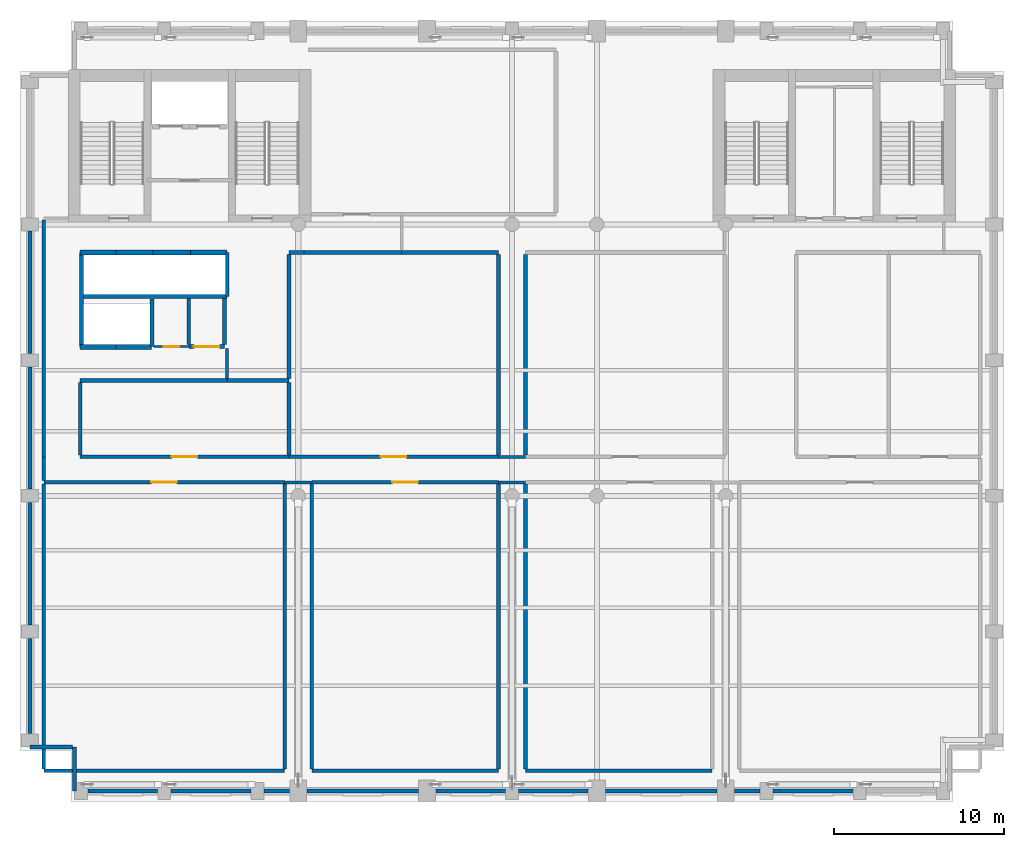
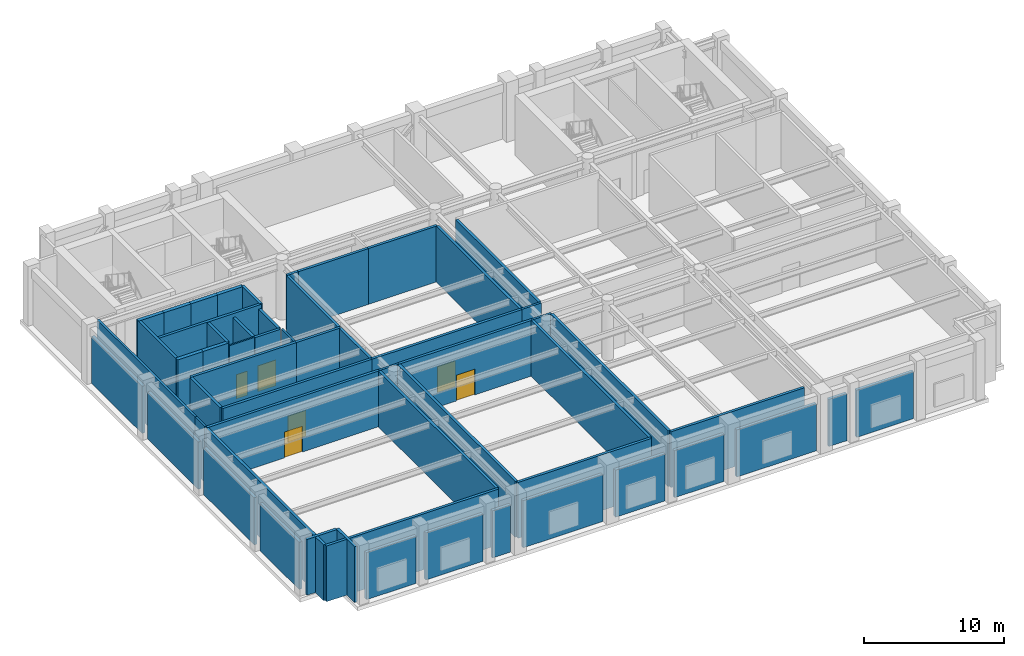
# One storey, part 5 of 11: 57 walls, 6 doors, 6 openings.
"""IFC4 building model written with IfcOpenShell, lengths in metres."""

from ifc_helpers import new_model, si_unit, direction, frame, frame_2d, origin, place, context, subcontext, project, spatial, rectangle, extrude, material, layer, layer_set, type_object, element, fill, save


model = new_model("IFC4")

# Units and contexts
model_context = context("Model", 3, precision=1e-05, world=origin(), true_north=direction((0.0, 1.0)))
body_context = subcontext(model_context, "Body", "Model", "MODEL_VIEW")
ifc_project = project(units=[si_unit("LENGTHUNIT", "METRE"), si_unit("AREAUNIT", "SQUARE_METRE"), si_unit("VOLUMEUNIT", "CUBIC_METRE"), si_unit("PLANEANGLEUNIT", "RADIAN"), si_unit("MASSUNIT", "GRAM", prefix="KILO")], contexts=[model_context])

# Site, building, storey
site_placement = place(None, origin())
site = spatial("IfcSite", under=ifc_project, at=site_placement, CompositionType="ELEMENT")
building_placement = place(site_placement, origin())
building = spatial("IfcBuilding", under=site, at=building_placement, Name="Sulina Concourse Tower", CompositionType="ELEMENT")
storey_placement = place(building_placement, frame((0.0, 0.0, 238.60009765625)))
storey = spatial("IfcBuildingStorey", under=building, at=storey_placement, Name="L58", CompositionType="ELEMENT", Elevation=238.60009765625)

# Walls
ifc_material_1 = material(Name="Concrete C50/60", Category="concrete")
ifc_layer_1 = layer(ifc_material_1, 0.219970703125)
ifc_layer_set_1 = layer_set([ifc_layer_1], Name="Concrete C50/60")
wall_type_1 = type_object("IfcWallType", Name="Core Lift Hoistway Divider Wall 220mm", PredefinedType="SOLIDWALL", material=ifc_layer_set_1)
wall_1_placement = place(storey_placement, frame((3.550048828125, 29.75, 0.0), z_axis=(0.0, 0.0, 1.0), x_axis=(1.0, 0.0, 0.0)))
element("IfcWall", 1, at=wall_1_placement, inside=storey, type_object=wall_type_1, Name="L58 shaft divider wall HW-LP3-S", PredefinedType="SOLIDWALL", context=body_context, shape_type="SweptSolid", body=[
    extrude(rectangle(XDim=8.64990234375, YDim=0.219970703125, at=frame_2d((4.324951171875, 0.0))), origin(), (0.0, 0.0, 1.0), 5.199951171875),
])
wall_2_placement = place(storey_placement, frame((3.6298828125, 26.800048828125, 0.0), z_axis=(0.0, 0.0, 1.0), x_axis=(0.0, 1.0, 0.0)))
element("IfcWall", 2, at=wall_2_placement, inside=storey, type_object=wall_type_1, Name="L58 shaft divider wall HW-LP3-W", PredefinedType="SOLIDWALL", context=body_context, shape_type="SweptSolid", body=[
    extrude(rectangle(XDim=5.550048828125, YDim=0.219970703125, at=frame_2d((2.77490234375, 0.0))), origin(), (0.0, 0.0, 1.0), 5.199951171875),
])
wall_3_placement = place(storey_placement, frame((7.780029296875, 26.800048828125, 0.0), z_axis=(0.0, 0.0, 1.0), x_axis=(0.0, 1.0, 0.0)))
element("IfcWall", 3, at=wall_3_placement, inside=storey, type_object=wall_type_1, Name="L58 shaft divider wall HW-EXP-E", PredefinedType="SOLIDWALL", context=body_context, shape_type="SweptSolid", body=[
    extrude(rectangle(XDim=2.800048828125, YDim=0.219970703125, at=frame_2d((1.39990234375, 0.0))), origin(), (0.0, 0.0, 1.0), 5.199951171875),
])
wall_4_placement = place(storey_placement, frame((12.219970703125, 29.75, 0.0), z_axis=(0.0, 0.0, 1.0), x_axis=(0.0, 1.0, 0.0)))
element("IfcWall", 4, at=wall_4_placement, inside=storey, type_object=wall_type_1, Name="L58 shaft divider wall HW-LP3-E", PredefinedType="SOLIDWALL", context=body_context, shape_type="SweptSolid", body=[
    extrude(rectangle(XDim=2.60009765625, YDim=0.219970703125, at=frame_2d((1.300048828125, 0.0))), origin(), (0.0, 0.0, 1.0), 5.199951171875),
])
ifc_material_2 = material(Name="Concrete C50/60", Category="concrete")
ifc_layer_2 = layer(ifc_material_2, 0.300048828125)
ifc_layer_set_2 = layer_set([ifc_layer_2], Name="Concrete C50/60")
wall_type_2 = type_object("IfcWallType", Name="Core Lift Hoistway Wall 300mm", PredefinedType="SOLIDWALL", material=ifc_layer_set_2)
wall_5_placement = place(storey_placement, frame((3.550048828125, 32.35009765625, 0.0), z_axis=(0.0, 0.0, 1.0), x_axis=(1.0, 0.0, 0.0)))
element("IfcWall", 5, at=wall_5_placement, inside=storey, type_object=wall_type_2, Name="L58 hoistway enclosure wall LP-09", PredefinedType="SOLIDWALL", context=body_context, shape_type="SweptSolid", body=[
    extrude(rectangle(XDim=2.099853515625, YDim=0.300048828125, at=frame_2d((1.0498046875, 0.0))), origin(), (0.0, 0.0, 1.0), 5.199951171875),
])
wall_6_placement = place(storey_placement, frame((5.64990234375, 32.35009765625, 0.0), z_axis=(0.0, 0.0, 1.0), x_axis=(1.0, 0.0, 0.0)))
element("IfcWall", 6, at=wall_6_placement, inside=storey, type_object=wall_type_2, Name="L58 hoistway enclosure wall LP-10", PredefinedType="SOLIDWALL", context=body_context, shape_type="SweptSolid", body=[
    extrude(rectangle(XDim=2.2001953125, YDim=0.300048828125, at=frame_2d((1.10009765625, 0.0))), origin(), (0.0, 0.0, 1.0), 5.199951171875),
])
wall_7_placement = place(storey_placement, frame((7.85009765625, 32.35009765625, 0.0), z_axis=(0.0, 0.0, 1.0), x_axis=(1.0, 0.0, 0.0)))
element("IfcWall", 7, at=wall_7_placement, inside=storey, type_object=wall_type_2, Name="L58 hoistway enclosure wall LP-11", PredefinedType="SOLIDWALL", context=body_context, shape_type="SweptSolid", body=[
    extrude(rectangle(XDim=2.199951171875, YDim=0.300048828125, at=frame_2d((1.10009765625, 0.0))), origin(), (0.0, 0.0, 1.0), 5.199951171875),
])
wall_8_placement = place(storey_placement, frame((10.050048828125, 32.35009765625, 0.0), z_axis=(0.0, 0.0, 1.0), x_axis=(1.0, 0.0, 0.0)))
element("IfcWall", 8, at=wall_8_placement, inside=storey, type_object=wall_type_2, Name="L58 hoistway enclosure wall LP-12", PredefinedType="SOLIDWALL", context=body_context, shape_type="SweptSolid", body=[
    extrude(rectangle(XDim=2.14990234375, YDim=0.300048828125, at=frame_2d((1.074951171875, 0.0))), origin(), (0.0, 0.0, 1.0), 5.199951171875),
])
wall_9_placement = place(storey_placement, frame((5.64990234375, 26.780029296875, 0.0), z_axis=(0.0, 0.0, 1.0), x_axis=(-1.0, 0.0, 0.0)))
element("IfcWall", 9, at=wall_9_placement, inside=storey, type_object=wall_type_2, Name="L58 hoistway enclosure wall EXP-1", PredefinedType="SOLIDWALL", context=body_context, shape_type="SweptSolid", body=[
    extrude(rectangle(XDim=2.099853515625, YDim=0.300048828125, at=frame_2d((1.0498046875, 0.0))), origin(), (0.0, 0.0, 1.0), 5.199951171875),
])
wall_10_placement = place(storey_placement, frame((7.75, 26.780029296875, 0.0), z_axis=(0.0, 0.0, 1.0), x_axis=(-1.0, 0.0, 0.0)))
element("IfcWall", 10, at=wall_10_placement, inside=storey, type_object=wall_type_2, Name="L58 hoistway enclosure wall EXP-2", PredefinedType="SOLIDWALL", context=body_context, shape_type="SweptSolid", body=[
    extrude(rectangle(XDim=2.10009765625, YDim=0.300048828125, at=frame_2d((1.050048828125, 0.0))), origin(), (0.0, 0.0, 1.0), 5.199951171875),
])
ifc_material_3 = material(Name="Precast concrete C50/60", Category="concrete")
ifc_layer_3 = layer(ifc_material_3, 0.239990234375)
ifc_layer_set_3 = layer_set([ifc_layer_3], Name="Precast concrete C50/60")
wall_type_3 = type_object("IfcWallType", Name="Crown Precast Masonry-Frame Facade Wall 240mm", PredefinedType="SOLIDWALL", material=ifc_layer_set_3)
wall_11_placement = place(storey_placement, frame((8.10498046875, 0.60009765625, 0.0), z_axis=(0.0, 0.0, 1.0), x_axis=(-1.0, 0.0, 0.0)))
element("IfcWall", 11, at=wall_11_placement, inside=storey, type_object=wall_type_3, Name="L58 exterior precast wall S1", PredefinedType="SOLIDWALL", context=body_context, shape_type="SweptSolid", body=[
    extrude(rectangle(XDim=4.10986328125, YDim=0.239990234375, at=frame_2d((2.054931640625, 0.0))), origin(), (0.0, 0.0, 1.0), 4.10986328125),
])
wall_12_placement = place(storey_placement, frame((13.60498046875, 0.60009765625, 0.0), z_axis=(0.0, 0.0, 1.0), x_axis=(-1.0, 0.0, 0.0)))
element("IfcWall", 12, at=wall_12_placement, inside=storey, type_object=wall_type_3, Name="L58 exterior precast wall S2", PredefinedType="SOLIDWALL", context=body_context, shape_type="SweptSolid", body=[
    extrude(rectangle(XDim=4.7099609375, YDim=0.239990234375, at=frame_2d((2.35498046875, 0.0))), origin(), (0.0, 0.0, 1.0), 4.10986328125),
])
wall_13_placement = place(storey_placement, frame((15.8798828125, 0.60009765625, 0.0), z_axis=(0.0, 0.0, 1.0), x_axis=(-1.0, 0.0, 0.0)))
element("IfcWall", 13, at=wall_13_placement, inside=storey, type_object=wall_type_3, Name="L58 exterior precast wall S3", PredefinedType="SOLIDWALL", context=body_context, shape_type="SweptSolid", body=[
    extrude(rectangle(XDim=1.48486328125, YDim=0.239990234375, at=frame_2d((0.742431640625, 0.0))), origin(), (0.0, 0.0, 1.0), 4.10986328125),
])
wall_14_placement = place(storey_placement, frame((23.47998046875, 0.60009765625, 0.0), z_axis=(0.0, 0.0, 1.0), x_axis=(-1.0, 0.0, 0.0)))
element("IfcWall", 14, at=wall_14_placement, inside=storey, type_object=wall_type_3, Name="L58 exterior precast wall S4", PredefinedType="SOLIDWALL", context=body_context, shape_type="SweptSolid", body=[
    extrude(rectangle(XDim=6.56005859375, YDim=0.239990234375, at=frame_2d((3.280029296875, 0.0))), origin(), (0.0, 0.0, 1.0), 4.10986328125),
])
for number, where, z_axis, x_axis, name in (
    (15, (28.60498046875, 0.60009765625, 0.0), (0.0, 0.0, 1.0), (-1.0, 0.0, 0.0), "L58 exterior precast wall S5"),
    (16, (33.47998046875, 0.60009765625, 0.0), (0.0, 0.0, 1.0), (-1.0, 0.0, 0.0), "L58 exterior precast wall S6"),
):
    element("IfcWall", number, at=place(storey_placement, frame(where, z_axis=z_axis, x_axis=x_axis)), inside=storey, type_object=wall_type_3, Name=name, PredefinedType="SOLIDWALL", context=body_context, shape_type="SweptSolid", body=[
        extrude(rectangle(XDim=4.0849609375, YDim=0.239990234375, at=frame_2d((2.04248046875, 0.0))), origin(), (0.0, 0.0, 1.0), 4.10986328125),
    ])
wall_15_placement = place(storey_placement, frame((41.080078125, 0.60009765625, 0.0), z_axis=(0.0, 0.0, 1.0), x_axis=(-1.0, 0.0, 0.0)))
element("IfcWall", 17, at=wall_15_placement, inside=storey, type_object=wall_type_3, Name="L58 exterior precast wall S7", PredefinedType="SOLIDWALL", context=body_context, shape_type="SweptSolid", body=[
    extrude(rectangle(XDim=6.56005859375, YDim=0.239990234375, at=frame_2d((3.280029296875, 0.0))), origin(), (0.0, 0.0, 1.0), 4.10986328125),
])
wall_16_placement = place(storey_placement, frame((43.60498046875, 0.60009765625, 0.0), z_axis=(0.0, 0.0, 1.0), x_axis=(-1.0, 0.0, 0.0)))
element("IfcWall", 18, at=wall_16_placement, inside=storey, type_object=wall_type_3, Name="L58 exterior precast wall S8", PredefinedType="SOLIDWALL", context=body_context, shape_type="SweptSolid", body=[
    extrude(rectangle(XDim=1.48486328125, YDim=0.239990234375, at=frame_2d((0.742431640625, 0.0))), origin(), (0.0, 0.0, 1.0), 4.10986328125),
])
wall_17_placement = place(storey_placement, frame((49.10498046875, 0.60009765625, 0.0), z_axis=(0.0, 0.0, 1.0), x_axis=(-1.0, 0.0, 0.0)))
element("IfcWall", 19, at=wall_17_placement, inside=storey, type_object=wall_type_3, Name="L58 exterior precast wall S9", PredefinedType="SOLIDWALL", context=body_context, shape_type="SweptSolid", body=[
    extrude(rectangle(XDim=4.7099609375, YDim=0.239990234375, at=frame_2d((2.35498046875, 0.0))), origin(), (0.0, 0.0, 1.0), 4.10986328125),
])
wall_18_placement = place(storey_placement, frame((0.60009765625, 3.9951171875, 0.0), z_axis=(0.0, 0.0, 1.0), x_axis=(0.0, 1.0, 0.0)))
element("IfcWall", 20, at=wall_18_placement, inside=storey, type_object=wall_type_3, Name="L58 exterior precast wall W1", PredefinedType="SOLIDWALL", context=body_context, shape_type="SweptSolid", body=[
    extrude(rectangle(XDim=5.60986328125, YDim=0.239990234375, at=frame_2d((2.804931640625, 0.0))), origin(), (0.0, 0.0, 1.0), 4.10986328125),
])
for number, where, z_axis, x_axis, name in (
    (21, (0.60009765625, 10.39501953125, 0.0), (0.0, 0.0, 1.0), (0.0, 1.0, 0.0), "L58 exterior precast wall W2"),
    (22, (0.60009765625, 18.39501953125, 0.0), (0.0, 0.0, 1.0), (0.0, 1.0, 0.0), "L58 exterior precast wall W3"),
    (23, (0.60009765625, 26.39501953125, 0.0), (0.0, 0.0, 1.0), (0.0, 1.0, 0.0), "L58 exterior precast wall W4"),
):
    element("IfcWall", number, at=place(storey_placement, frame(where, z_axis=z_axis, x_axis=x_axis)), inside=storey, type_object=wall_type_3, Name=name, PredefinedType="SOLIDWALL", context=body_context, shape_type="SweptSolid", body=[
        extrude(rectangle(XDim=7.2099609375, YDim=0.239990234375, at=frame_2d((3.60498046875, 0.0))), origin(), (0.0, 0.0, 1.0), 4.10986328125),
    ])
wall_19_placement = place(storey_placement, frame((3.205078125, 0.60009765625, 0.0), z_axis=(0.0, 0.0, 1.0), x_axis=(0.0, 1.0, 0.0)))
element("IfcWall", 24, at=wall_19_placement, inside=storey, type_object=wall_type_3, Name="L58 exterior precast wall CSW1", PredefinedType="SOLIDWALL", context=body_context, shape_type="SweptSolid", body=[
    extrude(rectangle(XDim=2.60498046875, YDim=0.239990234375, at=frame_2d((1.302490234375, 0.0))), origin(), (0.0, 0.0, 1.0), 4.85986328125),
])
wall_20_placement = place(storey_placement, frame((3.080078125, 3.205078125, 0.0), z_axis=(0.0, 0.0, 1.0), x_axis=(-1.0, 0.0, 0.0)))
element("IfcWall", 25, at=wall_20_placement, inside=storey, type_object=wall_type_3, Name="L58 exterior precast wall CSW2", PredefinedType="SOLIDWALL", context=body_context, shape_type="SweptSolid", body=[
    extrude(rectangle(XDim=2.47998046875, YDim=0.239990234375, at=frame_2d((1.239990234375, 0.0))), origin(), (0.0, 0.0, 1.0), 4.85986328125),
])
ifc_material_4 = material(Name="Gypsum board on steel stud", Category="steel")
ifc_layer_4 = layer(ifc_material_4, 0.219970703125)
ifc_layer_set_4 = layer_set([ifc_layer_4], Name="Gypsum board on steel stud")
wall_type_4 = type_object("IfcWallType", Name="Fire-Rated Lobby & Compartment Wall 220mm", PredefinedType="PARTITIONING", material=ifc_layer_set_4)
wall_21_placement = place(storey_placement, frame((1.39990234375, 1.800048828125, 0.0), z_axis=(0.0, 0.0, 1.0), x_axis=(1.0, 0.0, 0.0)))
element("IfcWall", 26, at=wall_21_placement, inside=storey, type_object=wall_type_4, Name="L58 interior partition 001", PredefinedType="PARTITIONING", context=body_context, shape_type="SweptSolid", body=[
    extrude(rectangle(XDim=14.2001953125, YDim=0.219970703125, at=frame_2d((7.10009765625, 0.0))), origin(), (0.0, 0.0, 1.0), 4.85986328125),
])
for number, where, z_axis, x_axis, name in (
    (27, (17.199951171875, 1.800048828125, 0.0), (0.0, 0.0, 1.0), (1.0, 0.0, 0.0), "L58 interior partition 002"),
    (28, (29.800048828125, 1.800048828125, 0.0), (0.0, 0.0, 1.0), (1.0, 0.0, 0.0), "L58 interior partition 003"),
):
    element("IfcWall", number, at=place(storey_placement, frame(where, z_axis=z_axis, x_axis=x_axis)), inside=storey, type_object=wall_type_4, Name=name, PredefinedType="PARTITIONING", context=body_context, shape_type="SweptSolid", body=[
        extrude(rectangle(XDim=11.0, YDim=0.219970703125, at=frame_2d((5.5, 0.0))), origin(), (0.0, 0.0, 1.0), 4.85986328125),
    ])

# Wall, opening, door
wall_22_placement = place(storey_placement, frame((1.39990234375, 18.800048828125, 0.0), z_axis=(0.0, 0.0, 1.0), x_axis=(1.0, 0.0, 0.0)))
wall_22 = element("IfcWall", 29, at=wall_22_placement, inside=storey, type_object=wall_type_4, Name="L58 interior partition 005", PredefinedType="PARTITIONING", context=body_context, shape_type="SweptSolid", body=[
    extrude(rectangle(XDim=14.2001953125, YDim=0.219970703125, at=frame_2d((7.10009765625, 0.0))), origin(), (0.0, 0.0, 1.0), 4.85986328125),
])
opening_1_placement = place(wall_22_placement, frame((6.35009765625, 0.0, 0.0)))
opening_1 = element("IfcOpeningElement", 30, at=opening_1_placement, cuts=wall_22, Name="Opening DR-80", PredefinedType="OPENING", context=body_context, shape_type="SweptSolid", body=[
    extrude(rectangle(XDim=1.5, YDim=2.25, at=frame_2d((0.75, 1.125))), frame((0.0, 0.119873046875, 0.0), z_axis=(0.0, -1.0, 0.0), x_axis=(1.0, 0.0, 0.0)), (0.0, 0.0, 1.0), 0.239990234375),
])
ifc_material_5 = material(Name="Galvanised steel acoustic fire leaf", Category="steel")
ifc_layer_5 = layer(ifc_material_5, 0.054931640625)
ifc_layer_set_5 = layer_set([ifc_layer_5], Name="Galvanised steel acoustic fire leaf")
door_type_1 = type_object("IfcDoorType", Name="Mechanical Plant Double Fire Door 1500x2250", OperationType="DOUBLE_DOOR_SINGLE_SWING", PredefinedType="DOOR", material=ifc_layer_set_5)
door_1_placement = place(opening_1_placement, origin())
door_1 = element("IfcDoor", 31, at=door_1_placement, inside=storey, type_object=door_type_1, Name="L58 interior door L58-AHU-RM1", OperationType="DOUBLE_DOOR_SINGLE_SWING", OverallHeight=2.25, OverallWidth=1.5, PredefinedType="DOOR", context=body_context, shape_type="SweptSolid", body=[
    extrude(rectangle(XDim=1.5, YDim=2.25, at=frame_2d((0.75, 1.125))), frame((0.0, 0.02490234375, 0.0), z_axis=(0.0, -1.0, 0.0), x_axis=(1.0, 0.0, 0.0)), (0.0, 0.0, 1.0), 0.050048828125),
])
fill(opening_1, door_1)

wall_23_placement = place(storey_placement, frame((17.199951171875, 18.800048828125, 0.0), z_axis=(0.0, 0.0, 1.0), x_axis=(1.0, 0.0, 0.0)))
wall_23 = element("IfcWall", 32, at=wall_23_placement, inside=storey, type_object=wall_type_4, Name="L58 interior partition 007", PredefinedType="PARTITIONING", context=body_context, shape_type="SweptSolid", body=[
    extrude(rectangle(XDim=11.0, YDim=0.219970703125, at=frame_2d((5.5, 0.0))), origin(), (0.0, 0.0, 1.0), 4.85986328125),
])
opening_2_placement = place(wall_23_placement, frame((4.75, 0.0, 0.0)))
opening_2 = element("IfcOpeningElement", 33, at=opening_2_placement, cuts=wall_23, Name="Opening DR-80", PredefinedType="OPENING", context=body_context, shape_type="SweptSolid", body=[
    extrude(rectangle(XDim=1.5, YDim=2.25, at=frame_2d((0.75, 1.125))), frame((0.0, 0.119873046875, 0.0), z_axis=(0.0, -1.0, 0.0), x_axis=(1.0, 0.0, 0.0)), (0.0, 0.0, 1.0), 0.239990234375),
])
door_2_placement = place(opening_2_placement, origin())
door_2 = element("IfcDoor", 34, at=door_2_placement, inside=storey, type_object=door_type_1, Name="L58 interior door L58-CHILLER-1", OperationType="DOUBLE_DOOR_SINGLE_SWING", OverallHeight=2.25, OverallWidth=1.5, PredefinedType="DOOR", context=body_context, shape_type="SweptSolid", body=[
    extrude(rectangle(XDim=1.5, YDim=2.25, at=frame_2d((0.75, 1.125))), frame((0.0, 0.02490234375, 0.0), z_axis=(0.0, -1.0, 0.0), x_axis=(1.0, 0.0, 0.0)), (0.0, 0.0, 1.0), 0.050048828125),
])
fill(opening_2, door_2)

wall_24_placement = place(storey_placement, frame((3.550048828125, 20.300048828125, 0.0), z_axis=(0.0, 0.0, 1.0), x_axis=(1.0, 0.0, 0.0)))
wall_24 = element("IfcWall", 35, at=wall_24_placement, inside=storey, type_object=wall_type_4, Name="L58 interior partition 012", PredefinedType="PARTITIONING", context=body_context, shape_type="SweptSolid", body=[
    extrude(rectangle(XDim=12.300048828125, YDim=0.219970703125, at=frame_2d((6.14990234375, 0.0))), origin(), (0.0, 0.0, 1.0), 4.85986328125),
])
opening_3_placement = place(wall_24_placement, frame((5.39990234375, 0.0, 0.0)))
opening_3 = element("IfcOpeningElement", 36, at=opening_3_placement, cuts=wall_24, Name="Opening DR-80", PredefinedType="OPENING", context=body_context, shape_type="SweptSolid", body=[
    extrude(rectangle(XDim=1.5, YDim=2.25, at=frame_2d((0.75, 1.125))), frame((0.0, 0.119873046875, 0.0), z_axis=(0.0, -1.0, 0.0), x_axis=(1.0, 0.0, 0.0)), (0.0, 0.0, 1.0), 0.239990234375),
])
door_3_placement = place(opening_3_placement, origin())
door_3 = element("IfcDoor", 37, at=door_3_placement, inside=storey, type_object=door_type_1, Name="L58 interior door L58-PL-W2", OperationType="DOUBLE_DOOR_SINGLE_SWING", OverallHeight=2.25, OverallWidth=1.5, PredefinedType="DOOR", context=body_context, shape_type="SweptSolid", body=[
    extrude(rectangle(XDim=1.5, YDim=2.25, at=frame_2d((0.75, 1.125))), frame((0.0, 0.02490234375, 0.0), z_axis=(0.0, -1.0, 0.0), x_axis=(1.0, 0.0, 0.0)), (0.0, 0.0, 1.0), 0.050048828125),
])
fill(opening_3, door_3)

wall_25_placement = place(storey_placement, frame((15.85009765625, 20.300048828125, 0.0), z_axis=(0.0, 0.0, 1.0), x_axis=(1.0, 0.0, 0.0)))
wall_25 = element("IfcWall", 38, at=wall_25_placement, inside=storey, type_object=wall_type_4, Name="L58 interior partition 013", PredefinedType="PARTITIONING", context=body_context, shape_type="SweptSolid", body=[
    extrude(rectangle(XDim=12.349853515625, YDim=0.219970703125, at=frame_2d((6.1748046875, 0.0))), origin(), (0.0, 0.0, 1.0), 4.85986328125),
])
opening_4_placement = place(wall_25_placement, frame((5.425048828125, 0.0, 0.0)))
opening_4 = element("IfcOpeningElement", 39, at=opening_4_placement, cuts=wall_25, Name="Opening DR-80", PredefinedType="OPENING", context=body_context, shape_type="SweptSolid", body=[
    extrude(rectangle(XDim=1.5, YDim=2.25, at=frame_2d((0.75, 1.125))), frame((0.0, 0.119873046875, 0.0), z_axis=(0.0, -1.0, 0.0), x_axis=(1.0, 0.0, 0.0)), (0.0, 0.0, 1.0), 0.239990234375),
])
door_4_placement = place(opening_4_placement, origin())
door_4 = element("IfcDoor", 40, at=door_4_placement, inside=storey, type_object=door_type_1, Name="L58 interior door L58-SWG-RM", OperationType="DOUBLE_DOOR_SINGLE_SWING", OverallHeight=2.25, OverallWidth=1.5, PredefinedType="DOOR", context=body_context, shape_type="SweptSolid", body=[
    extrude(rectangle(XDim=1.5, YDim=2.25, at=frame_2d((0.75, 1.125))), frame((0.0, 0.02490234375, 0.0), z_axis=(0.0, -1.0, 0.0), x_axis=(1.0, 0.0, 0.0)), (0.0, 0.0, 1.0), 0.050048828125),
])
fill(opening_4, door_4)

# Walls
wall_26_placement = place(storey_placement, frame((3.550048828125, 24.800048828125, 0.0), z_axis=(0.0, 0.0, 1.0), x_axis=(1.0, 0.0, 0.0)))
element("IfcWall", 41, at=wall_26_placement, inside=storey, type_object=wall_type_4, Name="L58 interior partition 018", PredefinedType="PARTITIONING", context=body_context, shape_type="SweptSolid", body=[
    extrude(rectangle(XDim=8.64990234375, YDim=0.219970703125, at=frame_2d((4.324951171875, 0.0))), origin(), (0.0, 0.0, 1.0), 4.85986328125),
])
wall_27_placement = place(storey_placement, frame((12.199951171875, 24.800048828125, 0.0), z_axis=(0.0, 0.0, 1.0), x_axis=(1.0, 0.0, 0.0)))
element("IfcWall", 42, at=wall_27_placement, inside=storey, type_object=wall_type_4, Name="L58 interior partition 019", PredefinedType="PARTITIONING", context=body_context, shape_type="SweptSolid", body=[
    extrude(rectangle(XDim=3.650146484375, YDim=0.219970703125, at=frame_2d((1.8251953125, 0.0))), origin(), (0.0, 0.0, 1.0), 4.85986328125),
])

# Wall, opening, door
wall_28_placement = place(storey_placement, frame((9.949951171875, 26.800048828125, 0.0), z_axis=(0.0, 0.0, 1.0), x_axis=(1.0, 0.0, 0.0)))
wall_28 = element("IfcWall", 43, at=wall_28_placement, inside=storey, type_object=wall_type_4, Name="L58 interior partition 021", PredefinedType="PARTITIONING", context=body_context, shape_type="SweptSolid", body=[
    extrude(rectangle(XDim=2.10009765625, YDim=0.219970703125, at=frame_2d((1.050048828125, 0.0))), origin(), (0.0, 0.0, 1.0), 4.85986328125),
])
opening_5_placement = place(wall_28_placement, frame((0.300048828125, 0.0, 0.0)))
opening_5 = element("IfcOpeningElement", 44, at=opening_5_placement, cuts=wall_28, Name="Opening DR-80", PredefinedType="OPENING", context=body_context, shape_type="SweptSolid", body=[
    extrude(rectangle(XDim=1.5, YDim=2.25, at=frame_2d((0.75, 1.125))), frame((0.0, 0.119873046875, 0.0), z_axis=(0.0, -1.0, 0.0), x_axis=(1.0, 0.0, 0.0)), (0.0, 0.0, 1.0), 0.239990234375),
])
door_5_placement = place(opening_5_placement, origin())
door_5 = element("IfcDoor", 45, at=door_5_placement, inside=storey, type_object=door_type_1, Name="L58 interior door L58-IT-IDF", OperationType="DOUBLE_DOOR_SINGLE_SWING", OverallHeight=2.25, OverallWidth=1.5, PredefinedType="DOOR", context=body_context, shape_type="SweptSolid", body=[
    extrude(rectangle(XDim=1.5, YDim=2.25, at=frame_2d((0.75, 1.125))), frame((0.0, 0.02490234375, 0.0), z_axis=(0.0, -1.0, 0.0), x_axis=(1.0, 0.0, 0.0)), (0.0, 0.0, 1.0), 0.050048828125),
])
fill(opening_5, door_5)

# Walls
wall_29_placement = place(storey_placement, frame((15.85009765625, 32.35009765625, 0.0), z_axis=(0.0, 0.0, 1.0), x_axis=(1.0, 0.0, 0.0)))
element("IfcWall", 46, at=wall_29_placement, inside=storey, type_object=wall_type_4, Name="L58 interior partition 022", PredefinedType="PARTITIONING", context=body_context, shape_type="SweptSolid", body=[
    extrude(rectangle(XDim=0.89990234375, YDim=0.219970703125, at=frame_2d((0.449951171875, 0.0))), origin(), (0.0, 0.0, 1.0), 4.85986328125),
])
wall_30_placement = place(storey_placement, frame((16.75, 32.35009765625, 0.0), z_axis=(0.0, 0.0, 1.0), x_axis=(1.0, 0.0, 0.0)))
element("IfcWall", 47, at=wall_30_placement, inside=storey, type_object=wall_type_4, Name="L58 interior partition 023", PredefinedType="PARTITIONING", context=body_context, shape_type="SweptSolid", body=[
    extrude(rectangle(XDim=5.75, YDim=0.219970703125, at=frame_2d((2.875, 0.0))), origin(), (0.0, 0.0, 1.0), 4.85986328125),
])
wall_31_placement = place(storey_placement, frame((22.5, 32.35009765625, 0.0), z_axis=(0.0, 0.0, 1.0), x_axis=(1.0, 0.0, 0.0)))
element("IfcWall", 48, at=wall_31_placement, inside=storey, type_object=wall_type_4, Name="L58 interior partition 024", PredefinedType="PARTITIONING", context=body_context, shape_type="SweptSolid", body=[
    extrude(rectangle(XDim=5.699951171875, YDim=0.219970703125, at=frame_2d((2.85009765625, 0.0))), origin(), (0.0, 0.0, 1.0), 4.85986328125),
])
wall_32_placement = place(storey_placement, frame((1.39990234375, 1.909912109375, 0.0), z_axis=(0.0, 0.0, 1.0), x_axis=(0.0, 1.0, 0.0)))
element("IfcWall", 49, at=wall_32_placement, inside=storey, type_object=wall_type_4, Name="L58 interior partition 035", PredefinedType="PARTITIONING", context=body_context, shape_type="SweptSolid", body=[
    extrude(rectangle(XDim=16.780029296875, YDim=0.219970703125, at=frame_2d((8.39013671875, 0.0))), origin(), (0.0, 0.0, 1.0), 4.85986328125),
])
wall_33_placement = place(storey_placement, frame((3.550048828125, 20.409912109375, 0.0), z_axis=(0.0, 0.0, 1.0), x_axis=(0.0, 1.0, 0.0)))
element("IfcWall", 50, at=wall_33_placement, inside=storey, type_object=wall_type_4, Name="L58 interior partition 038", PredefinedType="PARTITIONING", context=body_context, shape_type="SweptSolid", body=[
    extrude(rectangle(XDim=4.280029296875, YDim=0.219970703125, at=frame_2d((2.14013671875, 0.0))), origin(), (0.0, 0.0, 1.0), 4.85986328125),
])
for number, where, z_axis, x_axis, name in (
    (51, (9.949951171875, 26.909912109375, 0.0), (0.0, 0.0, 1.0), (0.0, 1.0, 0.0), "L58 interior partition 039"),
    (52, (12.050048828125, 26.909912109375, 0.0), (0.0, 0.0, 1.0), (0.0, 1.0, 0.0), "L58 interior partition 040"),
):
    element("IfcWall", number, at=place(storey_placement, frame(where, z_axis=z_axis, x_axis=x_axis)), inside=storey, type_object=wall_type_4, Name=name, PredefinedType="PARTITIONING", context=body_context, shape_type="SweptSolid", body=[
        extrude(rectangle(XDim=2.72998046875, YDim=0.219970703125, at=frame_2d((1.364990234375, 0.0))), origin(), (0.0, 0.0, 1.0), 4.85986328125),
    ])
wall_34_placement = place(storey_placement, frame((15.60009765625, 1.909912109375, 0.0), z_axis=(0.0, 0.0, 1.0), x_axis=(0.0, 1.0, 0.0)))
element("IfcWall", 53, at=wall_34_placement, inside=storey, type_object=wall_type_4, Name="L58 interior partition 042", PredefinedType="PARTITIONING", context=body_context, shape_type="SweptSolid", body=[
    extrude(rectangle(XDim=16.780029296875, YDim=0.219970703125, at=frame_2d((8.39013671875, 0.0))), origin(), (0.0, 0.0, 1.0), 4.85986328125),
])
wall_35_placement = place(storey_placement, frame((15.85009765625, 20.409912109375, 0.0), z_axis=(0.0, 0.0, 1.0), x_axis=(0.0, 1.0, 0.0)))
element("IfcWall", 54, at=wall_35_placement, inside=storey, type_object=wall_type_4, Name="L58 interior partition 043", PredefinedType="PARTITIONING", context=body_context, shape_type="SweptSolid", body=[
    extrude(rectangle(XDim=4.280029296875, YDim=0.219970703125, at=frame_2d((2.14013671875, 0.0))), origin(), (0.0, 0.0, 1.0), 4.85986328125),
])
wall_36_placement = place(storey_placement, frame((15.85009765625, 24.909912109375, 0.0), z_axis=(0.0, 0.0, 1.0), x_axis=(0.0, 1.0, 0.0)))
element("IfcWall", 55, at=wall_36_placement, inside=storey, type_object=wall_type_4, Name="L58 interior partition 044", PredefinedType="PARTITIONING", context=body_context, shape_type="SweptSolid", body=[
    extrude(rectangle(XDim=7.330078125, YDim=0.219970703125, at=frame_2d((3.6650390625, 0.0))), origin(), (0.0, 0.0, 1.0), 4.85986328125),
])
for number, where, z_axis, x_axis, name in (
    (56, (17.199951171875, 1.909912109375, 0.0), (0.0, 0.0, 1.0), (0.0, 1.0, 0.0), "L58 interior partition 045"),
    (57, (28.199951171875, 1.909912109375, 0.0), (0.0, 0.0, 1.0), (0.0, 1.0, 0.0), "L58 interior partition 047"),
):
    element("IfcWall", number, at=place(storey_placement, frame(where, z_axis=z_axis, x_axis=x_axis)), inside=storey, type_object=wall_type_4, Name=name, PredefinedType="PARTITIONING", context=body_context, shape_type="SweptSolid", body=[
        extrude(rectangle(XDim=16.780029296875, YDim=0.219970703125, at=frame_2d((8.39013671875, 0.0))), origin(), (0.0, 0.0, 1.0), 4.85986328125),
    ])
wall_37_placement = place(storey_placement, frame((28.199951171875, 20.409912109375, 0.0), z_axis=(0.0, 0.0, 1.0), x_axis=(0.0, 1.0, 0.0)))
element("IfcWall", 58, at=wall_37_placement, inside=storey, type_object=wall_type_4, Name="L58 interior partition 048", PredefinedType="PARTITIONING", context=body_context, shape_type="SweptSolid", body=[
    extrude(rectangle(XDim=11.830078125, YDim=0.219970703125, at=frame_2d((5.9150390625, 0.0))), origin(), (0.0, 0.0, 1.0), 4.85986328125),
])
wall_38_placement = place(storey_placement, frame((29.800048828125, 1.909912109375, 0.0), z_axis=(0.0, 0.0, 1.0), x_axis=(0.0, 1.0, 0.0)))
element("IfcWall", 59, at=wall_38_placement, inside=storey, type_object=wall_type_4, Name="L58 interior partition 049", PredefinedType="PARTITIONING", context=body_context, shape_type="SweptSolid", body=[
    extrude(rectangle(XDim=16.780029296875, YDim=0.219970703125, at=frame_2d((8.39013671875, 0.0))), origin(), (0.0, 0.0, 1.0), 4.85986328125),
])
wall_39_placement = place(storey_placement, frame((29.800048828125, 20.409912109375, 0.0), z_axis=(0.0, 0.0, 1.0), x_axis=(0.0, 1.0, 0.0)))
element("IfcWall", 60, at=wall_39_placement, inside=storey, type_object=wall_type_4, Name="L58 interior partition 050", PredefinedType="PARTITIONING", context=body_context, shape_type="SweptSolid", body=[
    extrude(rectangle(XDim=11.830078125, YDim=0.219970703125, at=frame_2d((5.9150390625, 0.0))), origin(), (0.0, 0.0, 1.0), 4.85986328125),
])
ifc_material_6 = material(Name="Gypsum board on steel stud", Category="steel")
ifc_layer_6 = layer(ifc_material_6, 0.14990234375)
ifc_layer_set_6 = layer_set([ifc_layer_6], Name="Gypsum board on steel stud")
wall_type_5 = type_object("IfcWallType", Name="Inter-Tenancy Acoustic Partition 150mm", PredefinedType="PARTITIONING", material=ifc_layer_set_6)
wall_40_placement = place(storey_placement, frame((12.199951171875, 24.909912109375, 0.0), z_axis=(0.0, 0.0, 1.0), x_axis=(0.0, 1.0, 0.0)))
element("IfcWall", 61, at=wall_40_placement, inside=storey, type_object=wall_type_5, Name="L58 interior partition 041", PredefinedType="PARTITIONING", context=body_context, shape_type="SweptSolid", body=[
    extrude(rectangle(XDim=1.780029296875, YDim=0.14990234375, at=frame_2d((0.89013671875, 0.0))), origin(), (0.0, 0.0, 1.0), 4.85986328125),
])
ifc_material_7 = material(Name="Gypsum board on steel stud", Category="steel")
ifc_layer_7 = layer(ifc_material_7, 0.179931640625)
ifc_layer_set_7 = layer_set([ifc_layer_7], Name="Gypsum board on steel stud")
wall_type_6 = type_object("IfcWallType", Name="Protected Corridor & Riser Partition 180mm", PredefinedType="PARTITIONING", material=ifc_layer_set_7)
wall_41_placement = place(storey_placement, frame((15.60009765625, 18.800048828125, 0.0), z_axis=(0.0, 0.0, 1.0), x_axis=(1.0, 0.0, 0.0)))
element("IfcWall", 62, at=wall_41_placement, inside=storey, type_object=wall_type_6, Name="L58 interior partition 006", PredefinedType="PARTITIONING", context=body_context, shape_type="SweptSolid", body=[
    extrude(rectangle(XDim=1.599853515625, YDim=0.179931640625, at=frame_2d((0.7998046875, 0.0))), origin(), (0.0, 0.0, 1.0), 4.85986328125),
])
for number, where, z_axis, x_axis, name in (
    (63, (28.199951171875, 18.800048828125, 0.0), (0.0, 0.0, 1.0), (1.0, 0.0, 0.0), "L58 interior partition 008"),
    (64, (28.199951171875, 20.300048828125, 0.0), (0.0, 0.0, 1.0), (1.0, 0.0, 0.0), "L58 interior partition 014"),
):
    element("IfcWall", number, at=place(storey_placement, frame(where, z_axis=z_axis, x_axis=x_axis)), inside=storey, type_object=wall_type_6, Name=name, PredefinedType="PARTITIONING", context=body_context, shape_type="SweptSolid", body=[
        extrude(rectangle(XDim=1.60009765625, YDim=0.179931640625, at=frame_2d((0.800048828125, 0.0))), origin(), (0.0, 0.0, 1.0), 4.85986328125),
    ])
wall_42_placement = place(storey_placement, frame((1.39990234375, 18.909912109375, 0.0), z_axis=(0.0, 0.0, 1.0), x_axis=(0.0, 1.0, 0.0)))
element("IfcWall", 65, at=wall_42_placement, inside=storey, type_object=wall_type_6, Name="L58 interior partition 036", PredefinedType="PARTITIONING", context=body_context, shape_type="SweptSolid", body=[
    extrude(rectangle(XDim=1.39013671875, YDim=0.179931640625, at=frame_2d((0.695068359375, 0.0))), origin(), (0.0, 0.0, 1.0), 4.85986328125),
])
wall_43_placement = place(storey_placement, frame((1.39990234375, 20.300048828125, 0.0), z_axis=(0.0, 0.0, 1.0), x_axis=(0.0, 1.0, 0.0)))
element("IfcWall", 66, at=wall_43_placement, inside=storey, type_object=wall_type_6, Name="L58 interior partition 037", PredefinedType="PARTITIONING", context=body_context, shape_type="SweptSolid", body=[
    extrude(rectangle(XDim=13.9599609375, YDim=0.179931640625, at=frame_2d((6.97998046875, 0.0))), origin(), (0.0, 0.0, 1.0), 4.85986328125),
])

# Wall, opening, door
ifc_material_8 = material(Name="Gypsum board on steel stud", Category="steel")
ifc_layer_8 = layer(ifc_material_8, 0.125)
ifc_layer_set_8 = layer_set([ifc_layer_8], Name="Gypsum board on steel stud")
wall_type_7 = type_object("IfcWallType", Name="Wet-Area Moisture-Resistant Partition 125mm", PredefinedType="PARTITIONING", material=ifc_layer_set_8)
wall_44_placement = place(storey_placement, frame((7.889892578125, 26.800048828125, 0.0), z_axis=(0.0, 0.0, 1.0), x_axis=(1.0, 0.0, 0.0)))
wall_44 = element("IfcWall", 67, at=wall_44_placement, inside=storey, type_object=wall_type_7, Name="L58 interior partition 020", PredefinedType="PARTITIONING", context=body_context, shape_type="SweptSolid", body=[
    extrude(rectangle(XDim=2.06005859375, YDim=0.125, at=frame_2d((1.030029296875, 0.0))), origin(), (0.0, 0.0, 1.0), 4.85986328125),
])
opening_6_placement = place(wall_44_placement, frame((0.570068359375, 0.0, 0.0)))
opening_6 = element("IfcOpeningElement", 68, at=opening_6_placement, cuts=wall_44, Name="Opening DR-61", PredefinedType="OPENING", context=body_context, shape_type="SweptSolid", body=[
    extrude(rectangle(XDim=0.919921875, YDim=2.10009765625, at=frame_2d((0.4599609375, 1.050048828125))), frame((0.0, 0.072509765625, 0.0), z_axis=(0.0, -1.0, 0.0), x_axis=(1.0, 0.0, 0.0)), (0.0, 0.0, 1.0), 0.14501953125),
])
ifc_material_9 = material(Name="Oak-veneered fire door leaf")
ifc_layer_9 = layer(ifc_material_9, 0.050048828125)
ifc_layer_set_9 = layer_set([ifc_layer_9], Name="Oak-veneered fire door leaf")
door_type_2 = type_object("IfcDoorType", Name="Accessible WC Door 920x2100", OperationType="NOTDEFINED", PredefinedType="DOOR", material=ifc_layer_set_9)
door_6_placement = place(opening_6_placement, origin())
door_6 = element("IfcDoor", 69, at=door_6_placement, inside=storey, type_object=door_type_2, Name="L58 interior door L58-WC-ACC", OperationType="SINGLE_SWING_LEFT", OverallHeight=2.10009765625, OverallWidth=0.919921875, PredefinedType="DOOR", context=body_context, shape_type="SweptSolid", body=[
    extrude(rectangle(XDim=0.919921875, YDim=2.10009765625, at=frame_2d((0.4599609375, 1.050048828125))), frame((0.0, 0.02490234375, 0.0), z_axis=(0.0, -1.0, 0.0), x_axis=(1.0, 0.0, 0.0)), (0.0, 0.0, 1.0), 0.050048828125),
])
fill(opening_6, door_6)

save(model, "model.ifc")
